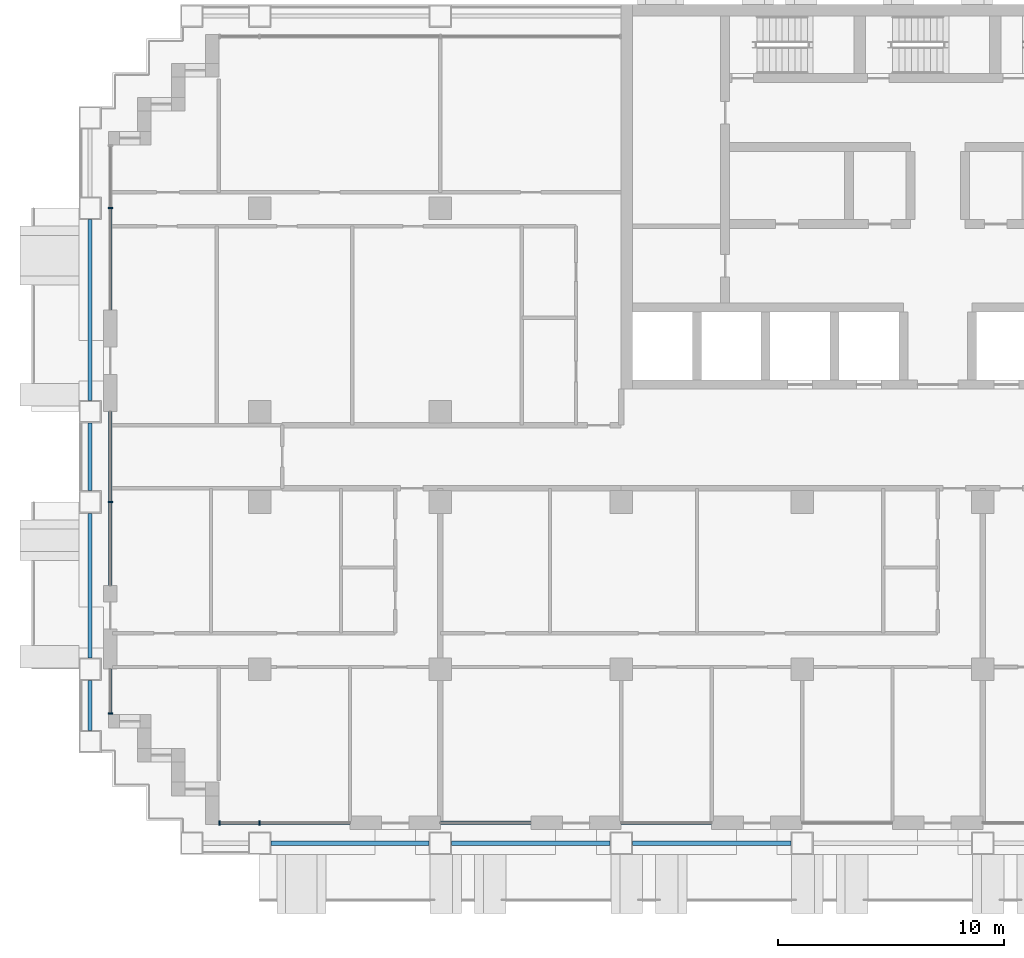
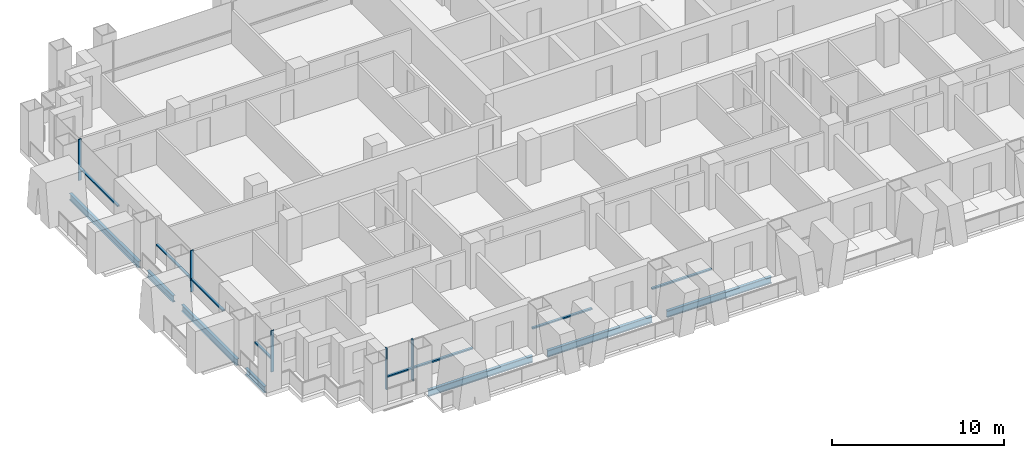
# One storey, part 2 of 18: 13 members, 7 beams, 6 elements without a shape of their own.
"""IFC4 building model written with IfcOpenShell, lengths in metres."""

from ifc_helpers import new_model, si_unit, direction, frame, origin, origin_2d, place, context, subcontext, project, spatial, rectangle, i_section, extrude, material, material_profile, profile_set, type_object, element, aggregate, save


model = new_model("IFC4")

# Units and contexts
model_context = context("Model", 3, precision=1e-05, world=origin(), true_north=direction((0.0, 1.0)))
body_context = subcontext(model_context, "Body", "Model", "MODEL_VIEW")
ifc_project = project(units=[si_unit("LENGTHUNIT", "METRE"), si_unit("AREAUNIT", "SQUARE_METRE"), si_unit("VOLUMEUNIT", "CUBIC_METRE"), si_unit("PLANEANGLEUNIT", "RADIAN"), si_unit("MASSUNIT", "GRAM", prefix="KILO")], contexts=[model_context])

# Site, building, storey
site_placement = place(None, origin())
site = spatial("IfcSite", under=ifc_project, at=site_placement, CompositionType="ELEMENT")
building_placement = place(site_placement, origin())
building = spatial("IfcBuilding", under=site, at=building_placement, Name="Vidyagriha Tower", CompositionType="ELEMENT")
storey_placement = place(building_placement, frame((0.0, 0.0, 48.0)))
storey = spatial("IfcBuildingStorey", under=building, at=storey_placement, Name="L12", CompositionType="ELEMENT", Elevation=48.0)

# Beams
ifc_material_1 = material(Name="Steel ASTM A992 Grade 50", Category="steel")
ifc_material_profile_1 = material_profile(ifc_material_1, i_section(OverallWidth=0.19189453125, OverallDepth=0.46240234375, WebThickness=0.010498046875, FlangeThickness=0.017578125, at=origin_2d()), Name="W18X60")
ifc_profile_set_1 = profile_set([ifc_material_profile_1], Name="Steel ASTM A992 Grade 50")
beam_type = type_object("IfcBeamType", Name="Edge beam W18X60", PredefinedType="SPANDREL", material=ifc_profile_set_1)
for number, where, z_axis, x_axis, name in (
    (1, (-29.5, -17.10009765625, -0.51123046875), (1.0, 0.0, 0.0), (0.0, 1.0, 0.0), "st-beam-L12-S02"),
    (2, (-21.5, -17.10009765625, -0.51123046875), (1.0, 0.0, 0.0), (0.0, 1.0, 0.0), "st-beam-L12-S03"),
    (3, (-13.5, -17.10009765625, -0.51123046875), (1.0, 0.0, 0.0), (0.0, 1.0, 0.0), "st-beam-L12-S04"),
):
    element("IfcBeam", number, at=place(storey_placement, frame(where, z_axis=z_axis, x_axis=x_axis)), inside=storey, type_object=beam_type, Name=name, PredefinedType="SPANDREL", context=body_context, shape_type="SweptSolid", body=[
        extrude(i_section(OverallWidth=0.19189453125, OverallDepth=0.46240234375, WebThickness=0.010498046875, FlangeThickness=0.017578125, at=origin_2d()), origin(), (0.0, 0.0, 1.0), 7.0),
    ])
beam_1_placement = place(storey_placement, frame((-37.5, -12.10009765625, -0.51123046875), z_axis=(0.0, 1.0, 0.0), x_axis=(-1.0, 0.0, 0.0)))
element("IfcBeam", 4, at=beam_1_placement, inside=storey, type_object=beam_type, Name="st-beam-L12-W10", PredefinedType="SPANDREL", context=body_context, shape_type="SweptSolid", body=[
    extrude(i_section(OverallWidth=0.19189453125, OverallDepth=0.46240234375, WebThickness=0.010498046875, FlangeThickness=0.017578125, at=origin_2d()), origin(), (0.0, 0.0, 1.0), 2.2001953125),
])
beam_2_placement = place(storey_placement, frame((-37.5, -8.89990234375, -0.51123046875), z_axis=(0.0, 1.0, 0.0), x_axis=(-1.0, 0.0, 0.0)))
element("IfcBeam", 5, at=beam_2_placement, inside=storey, type_object=beam_type, Name="st-beam-L12-W11", PredefinedType="SPANDREL", context=body_context, shape_type="SweptSolid", body=[
    extrude(i_section(OverallWidth=0.19189453125, OverallDepth=0.46240234375, WebThickness=0.010498046875, FlangeThickness=0.017578125, at=origin_2d()), origin(), (0.0, 0.0, 1.0), 6.39990234375),
])
beam_3_placement = place(storey_placement, frame((-37.5, -1.5, -0.51123046875), z_axis=(0.0, 1.0, 0.0), x_axis=(-1.0, 0.0, 0.0)))
element("IfcBeam", 6, at=beam_3_placement, inside=storey, type_object=beam_type, Name="st-beam-L12-W12", PredefinedType="SPANDREL", context=body_context, shape_type="SweptSolid", body=[
    extrude(i_section(OverallWidth=0.19189453125, OverallDepth=0.46240234375, WebThickness=0.010498046875, FlangeThickness=0.017578125, at=origin_2d()), origin(), (0.0, 0.0, 1.0), 3.0),
])
beam_4_placement = place(storey_placement, frame((-37.5, 2.5, -0.51123046875), z_axis=(0.0, 1.0, 0.0), x_axis=(-1.0, 0.0, 0.0)))
element("IfcBeam", 7, at=beam_4_placement, inside=storey, type_object=beam_type, Name="st-beam-L12-W13", PredefinedType="SPANDREL", context=body_context, shape_type="SweptSolid", body=[
    extrude(i_section(OverallWidth=0.19189453125, OverallDepth=0.46240234375, WebThickness=0.010498046875, FlangeThickness=0.017578125, at=origin_2d()), origin(), (0.0, 0.0, 1.0), 8.0),
])

# Curtain wall, member
ifc_material_2 = material(Name="Aluminium and glass curtain wall", Category="aluminium")
curtain_wall_type = type_object("IfcCurtainWallType", Name="Dwelling skin unitised curtain wall", PredefinedType="USERDEFINED", material=ifc_material_2)
curtain_wall_1_placement = place(storey_placement, origin())
curtain_wall_1 = element("IfcCurtainWall", 8, at=curtain_wall_1_placement, inside=storey, type_object=curtain_wall_type, Name="CW1 dwelling skin", ObjectType="UNITISED", PredefinedType="USERDEFINED")
ifc_material_3 = material(Name="Aluminium black anodised", Category="aluminium")
ifc_material_profile_2 = material_profile(ifc_material_3, rectangle(XDim=0.199951171875, YDim=0.070068359375, at=origin_2d()), Name="Mullion 70x200 black aluminium")
ifc_profile_set_2 = profile_set([ifc_material_profile_2], Name="Aluminium black anodised")
member_type_1 = type_object("IfcMemberType", Name="Mullion 70x200 black aluminium", PredefinedType="MULLION", material=ifc_profile_set_2)
member_1_placement = place(storey_placement, frame((-36.60009765625, 11.0, 0.0)))
member_1 = element("IfcMember", 9, at=member_1_placement, type_object=member_type_1, Name="CW1 mullion 2", PredefinedType="MULLION", context=body_context, shape_type="SweptSolid", body=[
    extrude(rectangle(XDim=0.199951171875, YDim=0.070068359375, at=origin_2d()), origin(), (0.0, 0.0, 1.0), 2.919921875),
])

curtain_wall_2_placement = place(storey_placement, origin())
curtain_wall_2 = element("IfcCurtainWall", 10, at=curtain_wall_2_placement, inside=storey, type_object=curtain_wall_type, Name="CW1 dwelling skin", ObjectType="UNITISED", PredefinedType="USERDEFINED")
member_2_placement = place(storey_placement, frame((-36.60009765625, -2.0, 0.0)))
member_2 = element("IfcMember", 11, at=member_2_placement, type_object=member_type_1, Name="CW1 mullion 2", PredefinedType="MULLION", context=body_context, shape_type="SweptSolid", body=[
    extrude(rectangle(XDim=0.199951171875, YDim=0.070068359375, at=origin_2d()), origin(), (0.0, 0.0, 1.0), 2.919921875),
])

curtain_wall_3_placement = place(storey_placement, origin())
curtain_wall_3 = element("IfcCurtainWall", 12, at=curtain_wall_3_placement, inside=storey, type_object=curtain_wall_type, Name="CW1 dwelling skin", ObjectType="UNITISED", PredefinedType="USERDEFINED")
member_3_placement = place(storey_placement, frame((-36.60009765625, -11.364990234375, 0.0)))
member_3 = element("IfcMember", 13, at=member_3_placement, type_object=member_type_1, Name="CW1 mullion 2", PredefinedType="MULLION", context=body_context, shape_type="SweptSolid", body=[
    extrude(rectangle(XDim=0.199951171875, YDim=0.070068359375, at=origin_2d()), origin(), (0.0, 0.0, 1.0), 2.919921875),
])

# Curtain wall, members
curtain_wall_4_placement = place(storey_placement, origin())
curtain_wall_4 = element("IfcCurtainWall", 14, at=curtain_wall_4_placement, inside=storey, type_object=curtain_wall_type, Name="CW1 dwelling skin", ObjectType="UNITISED", PredefinedType="USERDEFINED")
member_4_placement = place(storey_placement, frame((-31.764892578125, -16.199951171875, 0.0), z_axis=(0.0, 0.0, 1.0), x_axis=(0.0, 1.0, 0.0)))
member_4 = element("IfcMember", 15, at=member_4_placement, type_object=member_type_1, Name="CW1 mullion 1", PredefinedType="MULLION", context=body_context, shape_type="SweptSolid", body=[
    extrude(rectangle(XDim=0.199951171875, YDim=0.070068359375, at=origin_2d()), origin(), (0.0, 0.0, 1.0), 2.919921875),
])
member_5_placement = place(storey_placement, frame((-30.0, -16.199951171875, 0.0), z_axis=(0.0, 0.0, 1.0), x_axis=(0.0, 1.0, 0.0)))
member_5 = element("IfcMember", 16, at=member_5_placement, type_object=member_type_1, Name="CW1 mullion 2", PredefinedType="MULLION", context=body_context, shape_type="SweptSolid", body=[
    extrude(rectangle(XDim=0.199951171875, YDim=0.070068359375, at=origin_2d()), origin(), (0.0, 0.0, 1.0), 2.919921875),
])

# Member
ifc_material_4 = material(Name="Aluminium black anodised", Category="aluminium")
ifc_material_profile_3 = material_profile(ifc_material_4, rectangle(XDim=0.159912109375, YDim=0.10009765625, at=origin_2d()), Name="Transom 100x160 black aluminium")
ifc_profile_set_3 = profile_set([ifc_material_profile_3], Name="Aluminium black anodised")
member_type_2 = type_object("IfcMemberType", Name="Transom 100x160 black aluminium", PredefinedType="USERDEFINED", material=ifc_profile_set_3)
member_6_placement = place(storey_placement, frame((-36.60009765625, 10.965087890625, 0.89990234375), z_axis=(0.0, -1.0, 0.0), x_axis=(1.0, 0.0, 0.0)))
member_6 = element("IfcMember", 17, at=member_6_placement, type_object=member_type_2, Name="CW1 transom 2.1", ObjectType="TRANSOM", PredefinedType="USERDEFINED", context=body_context, shape_type="SweptSolid", body=[
    extrude(rectangle(XDim=0.159912109375, YDim=0.10009765625, at=origin_2d()), origin(), (0.0, 0.0, 1.0), 4.465087890625),
])

aggregate(curtain_wall_1, [member_1, member_6])

member_7_placement = place(storey_placement, frame((-36.60009765625, 2.0, 0.89990234375), z_axis=(0.0, -1.0, 0.0), x_axis=(1.0, 0.0, 0.0)))
member_7 = element("IfcMember", 18, at=member_7_placement, type_object=member_type_2, Name="CW1 transom 1.1", ObjectType="TRANSOM", PredefinedType="USERDEFINED", context=body_context, shape_type="SweptSolid", body=[
    extrude(rectangle(XDim=0.159912109375, YDim=0.10009765625, at=origin_2d()), origin(), (0.0, 0.0, 1.0), 3.965087890625),
])

member_8_placement = place(storey_placement, frame((-36.60009765625, -2.034912109375, 0.89990234375), z_axis=(0.0, -1.0, 0.0), x_axis=(1.0, 0.0, 0.0)))
member_8 = element("IfcMember", 19, at=member_8_placement, type_object=member_type_2, Name="CW1 transom 2.1", ObjectType="TRANSOM", PredefinedType="USERDEFINED", context=body_context, shape_type="SweptSolid", body=[
    extrude(rectangle(XDim=0.159912109375, YDim=0.10009765625, at=origin_2d()), origin(), (0.0, 0.0, 1.0), 3.6650390625),
])

aggregate(curtain_wall_2, [member_2, member_7, member_8])

member_9_placement = place(storey_placement, frame((-36.60009765625, -9.39990234375, 0.89990234375), z_axis=(0.0, -1.0, 0.0), x_axis=(1.0, 0.0, 0.0)))
member_9 = element("IfcMember", 20, at=member_9_placement, type_object=member_type_2, Name="CW1 transom 1.1", ObjectType="TRANSOM", PredefinedType="USERDEFINED", context=body_context, shape_type="SweptSolid", body=[
    extrude(rectangle(XDim=0.159912109375, YDim=0.10009765625, at=origin_2d()), origin(), (0.0, 0.0, 1.0), 1.93017578125),
])

aggregate(curtain_wall_3, [member_3, member_9])

member_10_placement = place(storey_placement, frame((-31.72998046875, -16.199951171875, 0.89990234375), z_axis=(1.0, 0.0, 0.0), x_axis=(0.0, 1.0, 0.0)))
member_10 = element("IfcMember", 21, at=member_10_placement, type_object=member_type_2, Name="CW1 transom 1.1", ObjectType="TRANSOM", PredefinedType="USERDEFINED", context=body_context, shape_type="SweptSolid", body=[
    extrude(rectangle(XDim=0.159912109375, YDim=0.10009765625, at=origin_2d()), origin(), (0.0, 0.0, 1.0), 1.695068359375),
])

member_11_placement = place(storey_placement, frame((-29.965087890625, -16.199951171875, 0.89990234375), z_axis=(1.0, 0.0, 0.0), x_axis=(0.0, 1.0, 0.0)))
member_11 = element("IfcMember", 22, at=member_11_placement, type_object=member_type_2, Name="CW1 transom 2.1", ObjectType="TRANSOM", PredefinedType="USERDEFINED", context=body_context, shape_type="SweptSolid", body=[
    extrude(rectangle(XDim=0.159912109375, YDim=0.10009765625, at=origin_2d()), origin(), (0.0, 0.0, 1.0), 3.965087890625),
])

aggregate(curtain_wall_4, [member_4, member_5, member_10, member_11])

# Curtain wall, member
curtain_wall_5_placement = place(storey_placement, origin())
curtain_wall_5 = element("IfcCurtainWall", 23, at=curtain_wall_5_placement, inside=storey, type_object=curtain_wall_type, Name="CW1 dwelling skin", ObjectType="UNITISED", PredefinedType="USERDEFINED")
member_12_placement = place(storey_placement, frame((-22.0, -16.199951171875, 0.89990234375), z_axis=(1.0, 0.0, 0.0), x_axis=(0.0, 1.0, 0.0)))
member_12 = element("IfcMember", 24, at=member_12_placement, type_object=member_type_2, Name="CW1 transom 1.1", ObjectType="TRANSOM", PredefinedType="USERDEFINED", context=body_context, shape_type="SweptSolid", body=[
    extrude(rectangle(XDim=0.159912109375, YDim=0.10009765625, at=origin_2d()), origin(), (0.0, 0.0, 1.0), 4.0),
])
aggregate(curtain_wall_5, [member_12])

curtain_wall_6_placement = place(storey_placement, origin())
curtain_wall_6 = element("IfcCurtainWall", 25, at=curtain_wall_6_placement, inside=storey, type_object=curtain_wall_type, Name="CW1 dwelling skin", ObjectType="UNITISED", PredefinedType="USERDEFINED")
member_13_placement = place(storey_placement, frame((-14.0, -16.199951171875, 0.89990234375), z_axis=(1.0, 0.0, 0.0), x_axis=(0.0, 1.0, 0.0)))
member_13 = element("IfcMember", 26, at=member_13_placement, type_object=member_type_2, Name="CW1 transom 1.1", ObjectType="TRANSOM", PredefinedType="USERDEFINED", context=body_context, shape_type="SweptSolid", body=[
    extrude(rectangle(XDim=0.159912109375, YDim=0.10009765625, at=origin_2d()), origin(), (0.0, 0.0, 1.0), 4.0),
])
aggregate(curtain_wall_6, [member_13])

save(model, "model.ifc")
